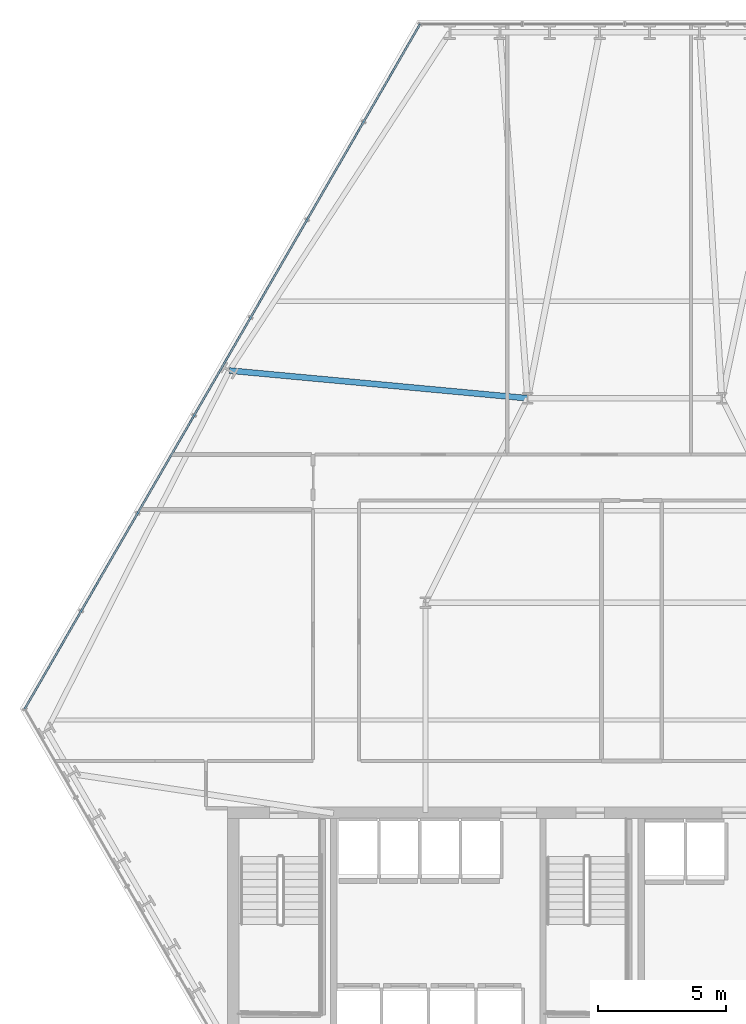
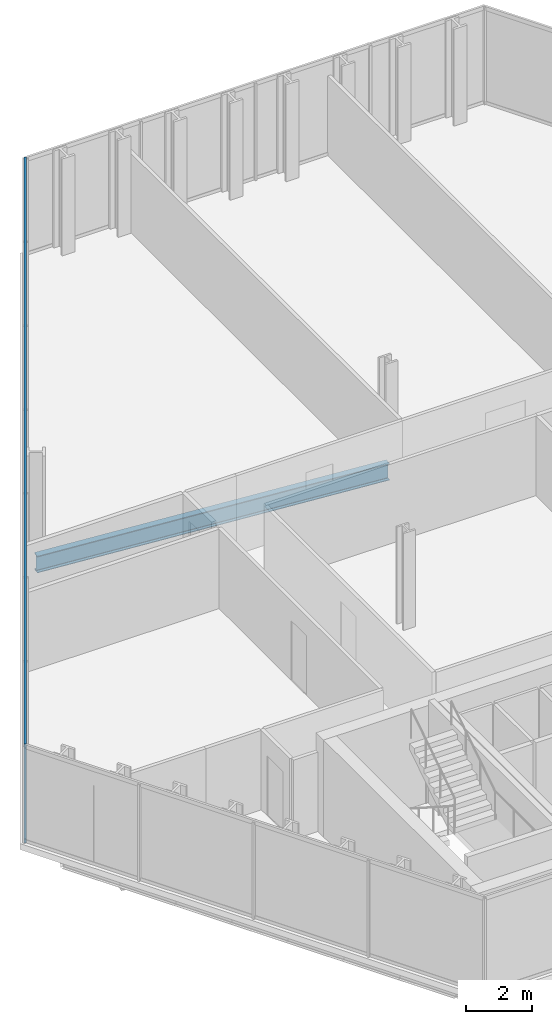
# One storey, part 11 of 32: 2 members, 1 beam, 1 element without a shape of its own.
"""IFC4 building model written with IfcOpenShell, lengths in metres."""

from ifc_helpers import new_model, si_unit, direction, frame, origin, origin_2d, place, context, subcontext, project, spatial, hollow_rectangle, i_section, extrude, material, layer, layer_set, material_profile, profile_set, type_object, element, aggregate, save


model = new_model("IFC4")

# Units and contexts
model_context = context("Model", 3, precision=1e-05, world=origin(), true_north=direction((0.0, 1.0)))
body_context = subcontext(model_context, "Body", "Model", "MODEL_VIEW")
ifc_project = project(units=[si_unit("LENGTHUNIT", "METRE"), si_unit("AREAUNIT", "SQUARE_METRE"), si_unit("VOLUMEUNIT", "CUBIC_METRE"), si_unit("PLANEANGLEUNIT", "RADIAN"), si_unit("MASSUNIT", "GRAM", prefix="KILO")], contexts=[model_context])

# Site, building, storey
site_placement = place(None, origin())
site = spatial("IfcSite", under=ifc_project, at=site_placement, CompositionType="ELEMENT")
building_placement = place(site_placement, origin())
building = spatial("IfcBuilding", under=site, at=building_placement, Name="Ndaravel Arena Tower", CompositionType="ELEMENT")
storey_placement = place(building_placement, frame((0.0, 0.0, 51.199951171875)))
storey = spatial("IfcBuildingStorey", under=building, at=storey_placement, Name="L10", CompositionType="ELEMENT", Elevation=51.199951171875)

# Beam
ifc_material_1 = material(Name="Steel S355", Category="steel")
ifc_material_profile_1 = material_profile(ifc_material_1, i_section(OverallWidth=0.230224609375, OverallDepth=0.6171875, WebThickness=0.01318359375, FlangeThickness=0.022216796875, FilletRadius=0.0126953125, at=origin_2d()), Name="UB 610x229x140")
ifc_profile_set_1 = profile_set([ifc_material_profile_1], Name="Steel S355")
beam_type = type_object("IfcBeamType", Name="BM-GIRD-UB610B", PredefinedType="BEAM", material=ifc_profile_set_1)
beam_placement = place(storey_placement, frame((26.523681640625, 32.285400390625, -0.528564453125), z_axis=(0.995706840407, -0.092562886556, 0.0), x_axis=(0.092562886556, 0.995706840407, 0.0)))
element("IfcBeam", 1, at=beam_placement, inside=storey, type_object=beam_type, Name="L10 Radial Floor Girder FG-19", PredefinedType="BEAM", context=body_context, shape_type="SweptSolid", body=[
    extrude(i_section(OverallWidth=0.230224609375, OverallDepth=0.6171875, WebThickness=0.01318359375, FlangeThickness=0.022216796875, FilletRadius=0.0126953125, at=origin_2d()), origin(), (0.0, 0.0, 1.0), 11.7265625),
])

# Curtain wall, members
ifc_material_2 = material(Name="Aluminium", Category="aluminium")
ifc_layer = layer(ifc_material_2, 0.179931640625)
ifc_layer_set = layer_set([ifc_layer], Name="Aluminium")
curtain_wall_type = type_object("IfcCurtainWallType", Name="CW-SYS-03", PredefinedType="NOTDEFINED", material=ifc_layer_set)
curtain_wall_placement = place(storey_placement, origin())
curtain_wall = element("IfcCurtainWall", 2, at=curtain_wall_placement, inside=storey, type_object=curtain_wall_type, Name="L10 Faceted Crystal Curtain Wall CW-L10-E05", PredefinedType="NOTDEFINED")
ifc_material_3 = material(Name="Aluminium", Category="aluminium")
ifc_material_profile_2 = material_profile(ifc_material_3, hollow_rectangle(XDim=0.074951171875, YDim=0.14990234375, WallThickness=0.00390625, at=origin_2d()), Name="CW TRANSOM 75x150x4")
ifc_profile_set_2 = profile_set([ifc_material_profile_2], Name="Aluminium")
member_type = type_object("IfcMemberType", Name="MEM-CW-TRN150", PredefinedType="USERDEFINED", material=ifc_profile_set_2)
member_1_placement = place(storey_placement, frame((33.98681640625, 45.851318359375, 0.0400390625), z_axis=(-0.500004826597, -0.866022617129, 0.0), x_axis=(0.866022617129, -0.500004826597, 0.0)))
member_1 = element("IfcMember", 3, at=member_1_placement, type_object=member_type, Name="CW-L10-E05 Transom 01", ObjectType="TRANSOM", PredefinedType="USERDEFINED", context=body_context, shape_type="SweptSolid", body=[
    extrude(hollow_rectangle(XDim=0.074951171875, YDim=0.14990234375, WallThickness=0.00390625, at=origin_2d()), origin(), (0.0, 0.0, 1.0), 30.959716796875),
])
member_2_placement = place(storey_placement, frame((33.98681640625, 45.851318359375, 3.5400390625), z_axis=(-0.500004826597, -0.866022617129, 0.0), x_axis=(0.866022617129, -0.500004826597, 0.0)))
member_2 = element("IfcMember", 4, at=member_2_placement, type_object=member_type, Name="CW-L10-E05 Transom 02", ObjectType="TRANSOM", PredefinedType="USERDEFINED", context=body_context, shape_type="SweptSolid", body=[
    extrude(hollow_rectangle(XDim=0.074951171875, YDim=0.14990234375, WallThickness=0.00390625, at=origin_2d()), origin(), (0.0, 0.0, 1.0), 30.959716796875),
])
aggregate(curtain_wall, [member_1, member_2])

save(model, "model.ifc")
